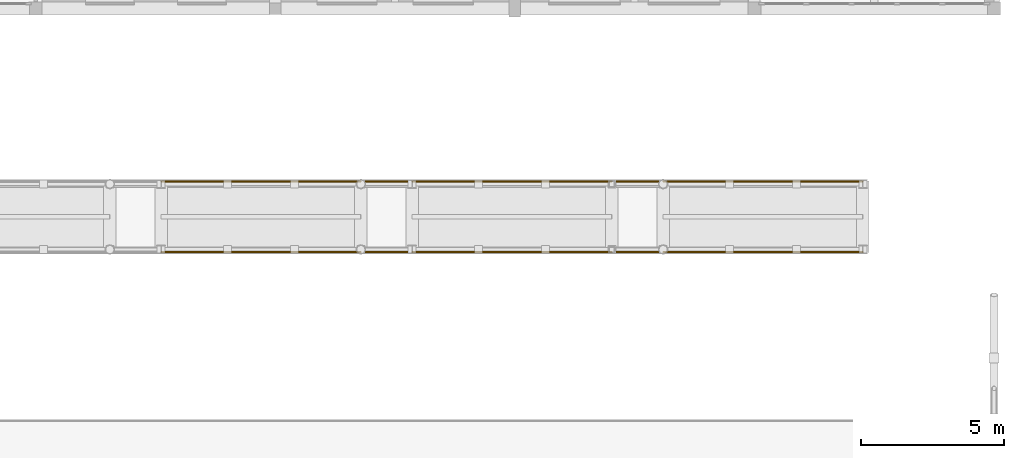
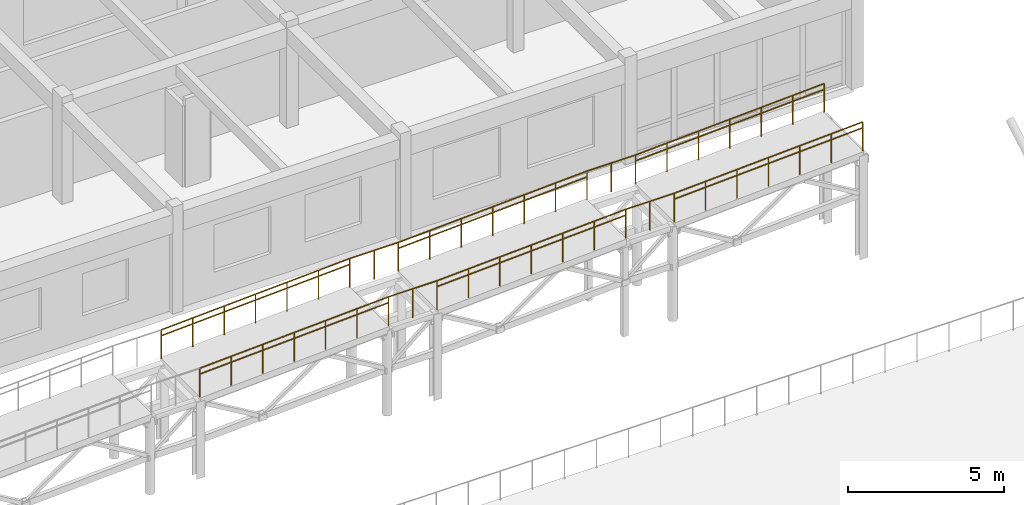
# One storey, part 85 of 90: 16 railings.
"""IFC4 building model written with IfcOpenShell, lengths in metres."""

from ifc_helpers import new_model, si_unit, direction, frame, origin, origin_2d, place, context, subcontext, project, spatial, circle, extrude, material, layer, layer_set, type_object, element, save


model = new_model("IFC4")

# Units and contexts
model_context = context("Model", 3, precision=1e-05, world=origin(), true_north=direction((0.0, 1.0)))
body_context = subcontext(model_context, "Body", "Model", "MODEL_VIEW")
ifc_project = project(units=[si_unit("LENGTHUNIT", "METRE"), si_unit("AREAUNIT", "SQUARE_METRE"), si_unit("VOLUMEUNIT", "CUBIC_METRE"), si_unit("PLANEANGLEUNIT", "RADIAN"), si_unit("MASSUNIT", "GRAM", prefix="KILO")], contexts=[model_context])

# Site, building, storey
site_placement = place(None, origin())
site = spatial("IfcSite", under=ifc_project, at=site_placement, CompositionType="ELEMENT")
building_placement = place(site_placement, origin())
building = spatial("IfcBuilding", under=site, at=building_placement, Name="Malvenik Polytechnic", CompositionType="ELEMENT")
storey_placement = place(building_placement, frame((0.0, 0.0, 9.300048828125)))
storey = spatial("IfcBuildingStorey", under=building, at=storey_placement, Name="L02", CompositionType="ELEMENT", Elevation=9.300048828125)

# Railings
ifc_material_1 = material(Name="Galvanised powder-coated steel and laminated glass guard 1150mm", Category="steel")
ifc_layer_1 = layer(ifc_material_1, 0.070068359375)
ifc_layer_set_1 = layer_set([ifc_layer_1], Name="Galvanised powder-coated steel and laminated glass guard 1150mm")
railing_type_1 = type_object("IfcRailingType", Name="ARC-RL-BAL-1150", PredefinedType="BALUSTRADE", material=ifc_layer_set_1)
for number, where, name in (
    (1, (105.199951171875, 41.860107421875, 3.14990234375), "Ramp Balustrade RB-01 #10S"),
    (2, (105.199951171875, 44.340087890625, 3.14990234375), "Ramp Balustrade RB-01 #10N"),
):
    element("IfcRailing", number, at=place(storey_placement, frame(where)), inside=storey, type_object=railing_type_1, Name=name, PredefinedType="BALUSTRADE", context=body_context, shape_type="SweptSolid", body=[
        extrude(circle(Radius=0.02392578125, at=origin_2d()), frame((0.0, 0.0, 1.1259765625), z_axis=(0.998751643845, 0.0, 0.049951515669), x_axis=(0.0, 1.0, 0.0)), (0.0, 0.0, 1.0), 7.0087890625),
        extrude(circle(Radius=0.02099609375, at=origin_2d()), origin(), (0.0, 0.0, 1.0), 1.101806640625),
        extrude(circle(Radius=0.02099609375, at=origin_2d()), frame((1.166748046875, 0.0, 0.058349609375)), (0.0, 0.0, 1.0), 1.101806640625),
        extrude(circle(Radius=0.02099609375, at=origin_2d()), frame((2.333251953125, 0.0, 0.11669921875)), (0.0, 0.0, 1.0), 1.101806640625),
        extrude(circle(Radius=0.02099609375, at=origin_2d()), frame((3.5, 0.0, 0.175048828125)), (0.0, 0.0, 1.0), 1.101806640625),
        extrude(circle(Radius=0.02099609375, at=origin_2d()), frame((4.666748046875, 0.0, 0.2333984375)), (0.0, 0.0, 1.0), 1.101806640625),
        extrude(circle(Radius=0.02099609375, at=origin_2d()), frame((5.833251953125, 0.0, 0.291748046875)), (0.0, 0.0, 1.0), 1.101806640625),
        extrude(circle(Radius=0.02099609375, at=origin_2d()), frame((7.0, 0.0, 0.35009765625)), (0.0, 0.0, 1.0), 1.101806640625),
    ])
for number, where, name in (
    (3, (112.199951171875, 41.860107421875, 3.5), "Ramp Landing Balustrade RB-01 #10S"),
    (4, (112.199951171875, 44.340087890625, 3.5), "Ramp Landing Balustrade RB-01 #10N"),
):
    element("IfcRailing", number, at=place(storey_placement, frame(where)), inside=storey, type_object=railing_type_1, Name=name, PredefinedType="BALUSTRADE", context=body_context, shape_type="SweptSolid", body=[
        extrude(circle(Radius=0.02392578125, at=origin_2d()), frame((0.0, 0.0, 1.1259765625), z_axis=(1.0, 0.0, 0.0), x_axis=(0.0, 1.0, 0.0)), (0.0, 0.0, 1.0), 1.800048828125),
        extrude(circle(Radius=0.02099609375, at=origin_2d()), origin(), (0.0, 0.0, 1.0), 1.101806640625),
        extrude(circle(Radius=0.02099609375, at=origin_2d()), frame((0.89990234375, 0.0, 0.0)), (0.0, 0.0, 1.0), 1.101806640625),
        extrude(circle(Radius=0.02099609375, at=origin_2d()), frame((1.800048828125, 0.0, 0.0)), (0.0, 0.0, 1.0), 1.101806640625),
    ])
for number, where, name in (
    (5, (114.0, 41.860107421875, 3.5), "Ramp Balustrade RB-01 #11S"),
    (6, (114.0, 44.340087890625, 3.5), "Ramp Balustrade RB-01 #11N"),
):
    element("IfcRailing", number, at=place(storey_placement, frame(where)), inside=storey, type_object=railing_type_1, Name=name, PredefinedType="BALUSTRADE", context=body_context, shape_type="SweptSolid", body=[
        extrude(circle(Radius=0.02392578125, at=origin_2d()), frame((0.0, 0.0, 1.1259765625), z_axis=(0.998753381067, 0.0, 0.049916768801), x_axis=(0.0, 1.0, 0.0)), (0.0, 0.0, 1.0), 7.0087890625),
        extrude(circle(Radius=0.02099609375, at=origin_2d()), origin(), (0.0, 0.0, 1.0), 1.101806640625),
        extrude(circle(Radius=0.02099609375, at=origin_2d()), frame((1.166748046875, 0.0, 0.058349609375)), (0.0, 0.0, 1.0), 1.101806640625),
        extrude(circle(Radius=0.02099609375, at=origin_2d()), frame((2.333251953125, 0.0, 0.11669921875)), (0.0, 0.0, 1.0), 1.101806640625),
        extrude(circle(Radius=0.02099609375, at=origin_2d()), frame((3.5, 0.0, 0.1748046875)), (0.0, 0.0, 1.0), 1.101806640625),
        extrude(circle(Radius=0.02099609375, at=origin_2d()), frame((4.666748046875, 0.0, 0.233154296875)), (0.0, 0.0, 1.0), 1.101806640625),
        extrude(circle(Radius=0.02099609375, at=origin_2d()), frame((5.833251953125, 0.0, 0.29150390625)), (0.0, 0.0, 1.0), 1.101806640625),
        extrude(circle(Radius=0.02099609375, at=origin_2d()), frame((7.0, 0.0, 0.349853515625)), (0.0, 0.0, 1.0), 1.101806640625),
    ])
for number, where, name in (
    (7, (121.0, 41.860107421875, 3.849853515625), "Ramp Landing Balustrade RB-01 #11S"),
    (8, (121.0, 44.340087890625, 3.849853515625), "Ramp Landing Balustrade RB-01 #11N"),
):
    element("IfcRailing", number, at=place(storey_placement, frame(where)), inside=storey, type_object=railing_type_1, Name=name, PredefinedType="BALUSTRADE", context=body_context, shape_type="SweptSolid", body=[
        extrude(circle(Radius=0.02392578125, at=origin_2d()), frame((0.0, 0.0, 1.1259765625), z_axis=(1.0, 0.0, 0.0), x_axis=(0.0, 1.0, 0.0)), (0.0, 0.0, 1.0), 1.800048828125),
        extrude(circle(Radius=0.02099609375, at=origin_2d()), origin(), (0.0, 0.0, 1.0), 1.101806640625),
        extrude(circle(Radius=0.02099609375, at=origin_2d()), frame((0.89990234375, 0.0, 0.0)), (0.0, 0.0, 1.0), 1.101806640625),
        extrude(circle(Radius=0.02099609375, at=origin_2d()), frame((1.800048828125, 0.0, 0.0)), (0.0, 0.0, 1.0), 1.101806640625),
    ])
for number, where, name in (
    (9, (122.800048828125, 41.860107421875, 3.849853515625), "Ramp Balustrade RB-01 #12S"),
    (10, (122.800048828125, 44.340087890625, 3.849853515625), "Ramp Balustrade RB-01 #12N"),
):
    element("IfcRailing", number, at=place(storey_placement, frame(where)), inside=storey, type_object=railing_type_1, Name=name, PredefinedType="BALUSTRADE", context=body_context, shape_type="SweptSolid", body=[
        extrude(circle(Radius=0.02392578125, at=origin_2d()), frame((0.0, 0.0, 1.1259765625), z_axis=(0.998751643845, 0.0, 0.049951515669), x_axis=(0.0, 1.0, 0.0)), (0.0, 0.0, 1.0), 7.0087890625),
        extrude(circle(Radius=0.02099609375, at=origin_2d()), origin(), (0.0, 0.0, 1.0), 1.101806640625),
        extrude(circle(Radius=0.02099609375, at=origin_2d()), frame((1.166748046875, 0.0, 0.058349609375)), (0.0, 0.0, 1.0), 1.101806640625),
        extrude(circle(Radius=0.02099609375, at=origin_2d()), frame((2.333251953125, 0.0, 0.11669921875)), (0.0, 0.0, 1.0), 1.101806640625),
        extrude(circle(Radius=0.02099609375, at=origin_2d()), frame((3.5, 0.0, 0.175048828125)), (0.0, 0.0, 1.0), 1.101806640625),
        extrude(circle(Radius=0.02099609375, at=origin_2d()), frame((4.666748046875, 0.0, 0.2333984375)), (0.0, 0.0, 1.0), 1.101806640625),
        extrude(circle(Radius=0.02099609375, at=origin_2d()), frame((5.833251953125, 0.0, 0.291748046875)), (0.0, 0.0, 1.0), 1.101806640625),
        extrude(circle(Radius=0.02099609375, at=origin_2d()), frame((7.0, 0.0, 0.35009765625)), (0.0, 0.0, 1.0), 1.101806640625),
    ])
ifc_material_2 = material(Name="Brushed stainless steel 1.4301 tubular handrail 50mm", Category="steel")
ifc_layer_2 = layer(ifc_material_2, 0.050048828125)
ifc_layer_set_2 = layer_set([ifc_layer_2], Name="Brushed stainless steel 1.4301 tubular handrail 50mm")
railing_type_2 = type_object("IfcRailingType", Name="ARC-RL-HR-920", PredefinedType="HANDRAIL", material=ifc_layer_set_2)
for number, where, name in (
    (11, (105.199951171875, 41.860107421875, 3.14990234375), "Ramp Handrail RB-01 #10S"),
    (12, (105.199951171875, 44.340087890625, 3.14990234375), "Ramp Handrail RB-01 #10N"),
):
    element("IfcRailing", number, at=place(storey_placement, frame(where)), inside=storey, type_object=railing_type_2, Name=name, PredefinedType="HANDRAIL", context=body_context, shape_type="SweptSolid", body=[
        extrude(circle(Radius=0.02392578125, at=origin_2d()), frame((0.0, 0.0, 0.89599609375), z_axis=(0.998751643845, 0.0, 0.049951515669), x_axis=(0.0, 1.0, 0.0)), (0.0, 0.0, 1.0), 7.0087890625),
        extrude(circle(Radius=0.02099609375, at=origin_2d()), origin(), (0.0, 0.0, 1.0), 0.871826171875),
        extrude(circle(Radius=0.02099609375, at=origin_2d()), frame((1.166748046875, 0.0, 0.058349609375)), (0.0, 0.0, 1.0), 0.871826171875),
        extrude(circle(Radius=0.02099609375, at=origin_2d()), frame((2.333251953125, 0.0, 0.11669921875)), (0.0, 0.0, 1.0), 0.871826171875),
        extrude(circle(Radius=0.02099609375, at=origin_2d()), frame((3.5, 0.0, 0.175048828125)), (0.0, 0.0, 1.0), 0.871826171875),
        extrude(circle(Radius=0.02099609375, at=origin_2d()), frame((4.666748046875, 0.0, 0.2333984375)), (0.0, 0.0, 1.0), 0.871826171875),
        extrude(circle(Radius=0.02099609375, at=origin_2d()), frame((5.833251953125, 0.0, 0.291748046875)), (0.0, 0.0, 1.0), 0.871826171875),
        extrude(circle(Radius=0.02099609375, at=origin_2d()), frame((7.0, 0.0, 0.35009765625)), (0.0, 0.0, 1.0), 0.871826171875),
    ])
for number, where, name in (
    (13, (114.0, 41.860107421875, 3.5), "Ramp Handrail RB-01 #11S"),
    (14, (114.0, 44.340087890625, 3.5), "Ramp Handrail RB-01 #11N"),
):
    element("IfcRailing", number, at=place(storey_placement, frame(where)), inside=storey, type_object=railing_type_2, Name=name, PredefinedType="HANDRAIL", context=body_context, shape_type="SweptSolid", body=[
        extrude(circle(Radius=0.02392578125, at=origin_2d()), frame((0.0, 0.0, 0.89599609375), z_axis=(0.998753381067, 0.0, 0.049916768801), x_axis=(0.0, 1.0, 0.0)), (0.0, 0.0, 1.0), 7.0087890625),
        extrude(circle(Radius=0.02099609375, at=origin_2d()), origin(), (0.0, 0.0, 1.0), 0.871826171875),
        extrude(circle(Radius=0.02099609375, at=origin_2d()), frame((1.166748046875, 0.0, 0.058349609375)), (0.0, 0.0, 1.0), 0.871826171875),
        extrude(circle(Radius=0.02099609375, at=origin_2d()), frame((2.333251953125, 0.0, 0.11669921875)), (0.0, 0.0, 1.0), 0.871826171875),
        extrude(circle(Radius=0.02099609375, at=origin_2d()), frame((3.5, 0.0, 0.1748046875)), (0.0, 0.0, 1.0), 0.871826171875),
        extrude(circle(Radius=0.02099609375, at=origin_2d()), frame((4.666748046875, 0.0, 0.233154296875)), (0.0, 0.0, 1.0), 0.871826171875),
        extrude(circle(Radius=0.02099609375, at=origin_2d()), frame((5.833251953125, 0.0, 0.29150390625)), (0.0, 0.0, 1.0), 0.871826171875),
        extrude(circle(Radius=0.02099609375, at=origin_2d()), frame((7.0, 0.0, 0.349853515625)), (0.0, 0.0, 1.0), 0.871826171875),
    ])
for number, where, name in (
    (15, (122.800048828125, 41.860107421875, 3.849853515625), "Ramp Handrail RB-01 #12S"),
    (16, (122.800048828125, 44.340087890625, 3.849853515625), "Ramp Handrail RB-01 #12N"),
):
    element("IfcRailing", number, at=place(storey_placement, frame(where)), inside=storey, type_object=railing_type_2, Name=name, PredefinedType="HANDRAIL", context=body_context, shape_type="SweptSolid", body=[
        extrude(circle(Radius=0.02392578125, at=origin_2d()), frame((0.0, 0.0, 0.89599609375), z_axis=(0.998751643845, 0.0, 0.049951515669), x_axis=(0.0, 1.0, 0.0)), (0.0, 0.0, 1.0), 7.0087890625),
        extrude(circle(Radius=0.02099609375, at=origin_2d()), origin(), (0.0, 0.0, 1.0), 0.871826171875),
        extrude(circle(Radius=0.02099609375, at=origin_2d()), frame((1.166748046875, 0.0, 0.058349609375)), (0.0, 0.0, 1.0), 0.871826171875),
        extrude(circle(Radius=0.02099609375, at=origin_2d()), frame((2.333251953125, 0.0, 0.11669921875)), (0.0, 0.0, 1.0), 0.871826171875),
        extrude(circle(Radius=0.02099609375, at=origin_2d()), frame((3.5, 0.0, 0.175048828125)), (0.0, 0.0, 1.0), 0.871826171875),
        extrude(circle(Radius=0.02099609375, at=origin_2d()), frame((4.666748046875, 0.0, 0.2333984375)), (0.0, 0.0, 1.0), 0.871826171875),
        extrude(circle(Radius=0.02099609375, at=origin_2d()), frame((5.833251953125, 0.0, 0.291748046875)), (0.0, 0.0, 1.0), 0.871826171875),
        extrude(circle(Radius=0.02099609375, at=origin_2d()), frame((7.0, 0.0, 0.35009765625)), (0.0, 0.0, 1.0), 0.871826171875),
    ])

save(model, "model.ifc")
